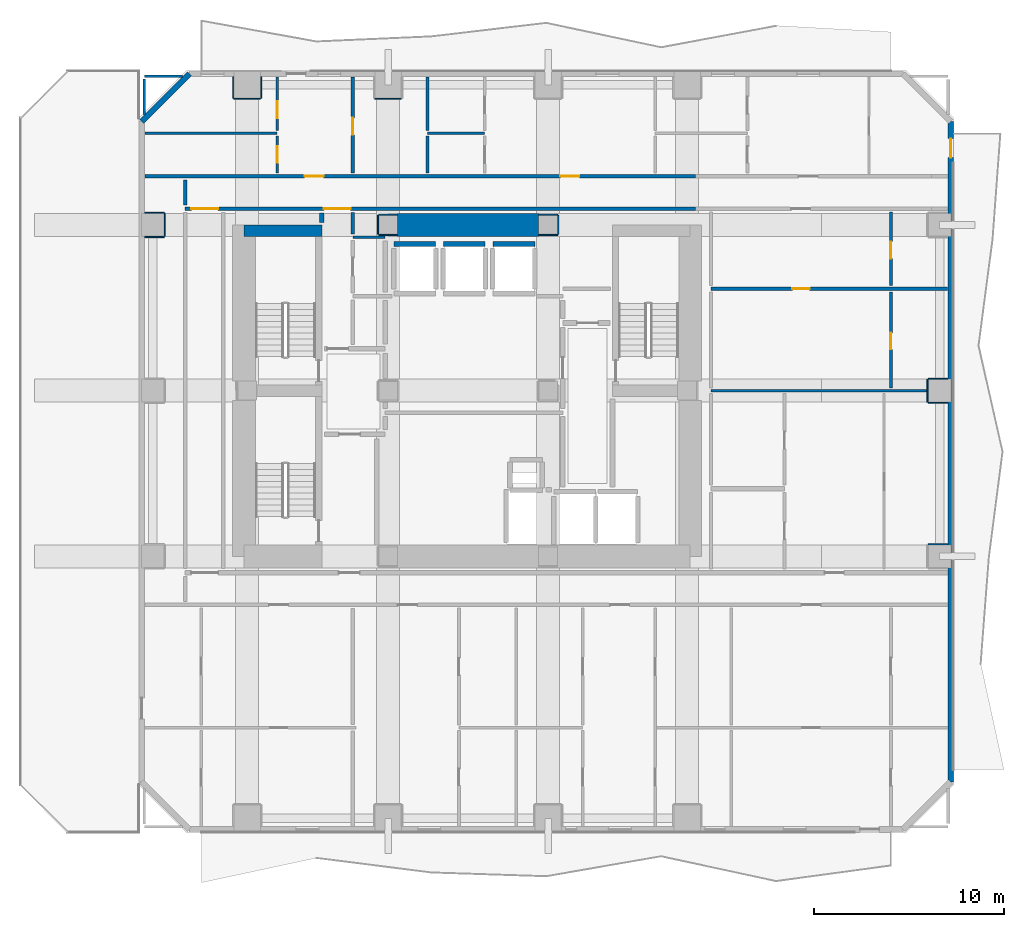
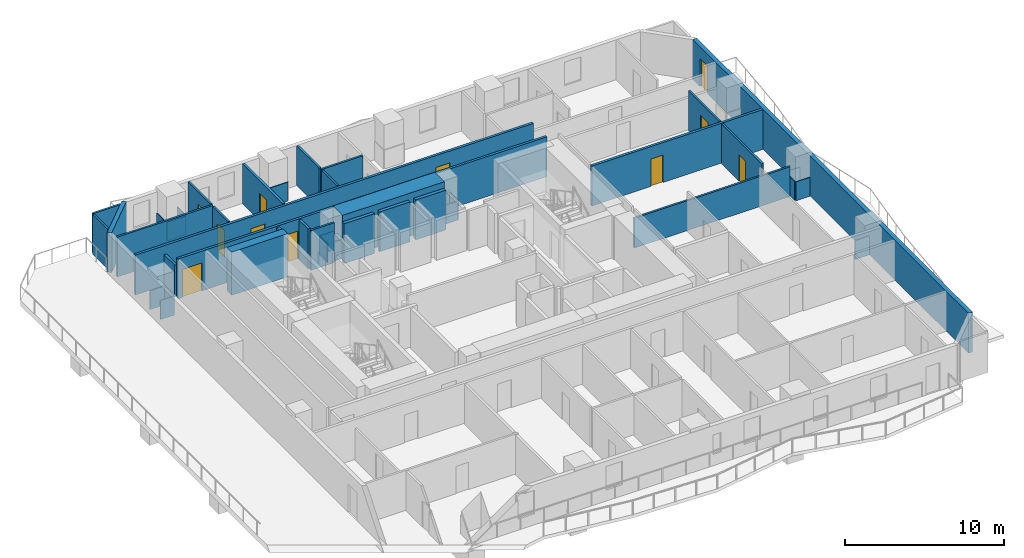
# One storey, part 5 of 10: 43 walls, 11 doors, 11 openings.
"""IFC4 building model written with IfcOpenShell, lengths in metres."""

import ifcopenshell
import ifcopenshell.guid

model = None  # the IFC model being written
_history = None  # IfcOwnerHistory: only IFC2X3 demands one
_inside = {}  # id of a spatial element -> (the spatial element, [elements in it])
_under = {}  # id of a project, library or spatial element -> (it, [spatial elements below it])
_declared = {}  # id of a project -> (the project, [libraries it declares])
_typed = {}  # id of a type object -> (the type object, [elements of that type])
_made_of = {}  # id of a material, layer set ... -> (it, [elements and type objects made of it])


def new_model(schema):
    """Start an empty IFC model of exactly this schema.

    Asked for "IFC4X3", IfcOpenShell would pick the latest addendum, in which some entities
    have other attributes; the version numbers below select the first issue.
    IFC2X3 requires an IfcOwnerHistory on every rooted entity: one is made here for all.
    """
    global model, _history
    if schema == "IFC4X3":
        model = ifcopenshell.file(schema_version=(4, 3, 0, 0))
    else:
        model = ifcopenshell.file(schema=schema)
    _inside.clear()
    _under.clear()
    _declared.clear()
    _typed.clear()
    _made_of.clear()
    _history = None
    if model.schema == "IFC2X3":
        org = make("IfcOrganization", Name="unknown")
        user = make(
            "IfcPersonAndOrganization",
            ThePerson=make("IfcPerson", FamilyName="unknown"),
            TheOrganization=org,
        )
        app = make(
            "IfcApplication",
            ApplicationDeveloper=org,
            Version="unknown",
            ApplicationFullName="unknown",
            ApplicationIdentifier="unknown",
        )
        _history = make(
            "IfcOwnerHistory",
            OwningUser=user,
            OwningApplication=app,
            ChangeAction="ADDED",
            CreationDate=0,
        )
    return model


def make(cls, **values):
    """One entity of the class cls with the attributes given. An attribute that is None is left unset."""
    return model.create_entity(
        cls, **{name: value for name, value in values.items() if value is not None}
    )


def rooted(cls, **values):
    """An entity with a GlobalId (a new one), such as an element, a storey or a relation."""
    return make(cls, GlobalId=ifcopenshell.guid.new(), OwnerHistory=_history, **values)


def si_unit(unit_type, name, prefix=None):
    """IfcSIUnit, for example si_unit("LENGTHUNIT", "METRE", prefix="MILLI")."""
    return make("IfcSIUnit", UnitType=unit_type, Prefix=prefix, Name=name)


def assignment(units):
    """IfcUnitAssignment: the units of a project."""
    return None if units is None else make("IfcUnitAssignment", Units=units)


def point(xyz):
    """IfcCartesianPoint."""
    return None if xyz is None else make("IfcCartesianPoint", Coordinates=xyz)


def direction(xyz):
    """IfcDirection."""
    return None if xyz is None else make("IfcDirection", DirectionRatios=xyz)


def frame(location, z_axis=None, x_axis=None):
    """IfcAxis2Placement3D, a coordinate frame: its origin and axes. An axis left out is left unset."""
    return make(
        "IfcAxis2Placement3D",
        Location=point(location),
        Axis=direction(z_axis),
        RefDirection=direction(x_axis),
    )


def frame_2d(location, x_axis=None):
    """IfcAxis2Placement2D, a coordinate frame in the plane: its origin and x axis."""
    return make(
        "IfcAxis2Placement2D", Location=point(location), RefDirection=direction(x_axis)
    )


def origin():
    """The frame at (0, 0, 0) with its axes left unset."""
    return frame((0.0, 0.0, 0.0))


def place(relative_to, where):
    """IfcLocalPlacement: puts the frame where relative to a parent placement (None: the world)."""
    return make(
        "IfcLocalPlacement", PlacementRelTo=relative_to, RelativePlacement=where
    )


def context(
    kind, dimensions, precision=None, world=None, true_north=None, identifier=None
):
    """IfcGeometricRepresentationContext, for example the 3D "Model" context."""
    return make(
        "IfcGeometricRepresentationContext",
        ContextIdentifier=identifier,
        ContextType=kind,
        CoordinateSpaceDimension=dimensions,
        Precision=precision,
        WorldCoordinateSystem=world,
        TrueNorth=true_north,
    )


def subcontext(parent, identifier, kind, view, scale=None):
    """IfcGeometricRepresentationSubContext, for example "Body" below "Model"."""
    return make(
        "IfcGeometricRepresentationSubContext",
        ContextIdentifier=identifier,
        ContextType=kind,
        ParentContext=parent,
        TargetScale=scale,
        TargetView=view,
    )


def project(units=None, contexts=None):
    """IfcProject with its units and contexts."""
    return rooted(
        "IfcProject",
        Name="project",
        RepresentationContexts=contexts,
        UnitsInContext=assignment(units),
    )


def spatial(cls, under=None, at=None, **own):
    """A site, building, storey or space (cls), placed at a placement, below another one or the project."""
    s = rooted(cls, ObjectPlacement=at, **own)
    if under is not None:
        _under.setdefault(under.id(), (under, []))[1].append(s)
    return s


def profile(cls, at=None, kind="AREA", **sizes):
    """A parametric profile (cls). Its sizes go by their IFC names, for example OverallWidth=200.0."""
    return make(cls, ProfileType=kind, Position=at, **sizes)


def rectangle(**sizes):
    """IfcRectangleProfileDef."""
    return profile("IfcRectangleProfileDef", **sizes)


def extrude(swept, where, along, depth):
    """IfcExtrudedAreaSolid: the profile swept, set in the frame where, extruded along a direction by depth."""
    return make(
        "IfcExtrudedAreaSolid",
        SweptArea=swept,
        Position=where,
        ExtrudedDirection=direction(along),
        Depth=depth,
    )


def shape(context_of_items, identifier, shape_type, items):
    """IfcShapeRepresentation: the items that make up one representation, for example the "Body"."""
    return make(
        "IfcShapeRepresentation",
        ContextOfItems=context_of_items,
        RepresentationIdentifier=identifier,
        RepresentationType=shape_type,
        Items=items,
    )


def material(Name=None, Category=None):
    """IfcMaterial."""
    return make("IfcMaterial", Name=Name, Category=Category)


def layer(
    of_material, thickness, ventilated=None, Name=None, Category=None, Priority=None
):
    """IfcMaterialLayer: one layer of a wall or slab, of a material (None: an air gap)."""
    return make(
        "IfcMaterialLayer",
        Material=of_material,
        LayerThickness=thickness,
        IsVentilated=ventilated,
        Name=Name,
        Category=Category,
        Priority=Priority,
    )


def layer_set(layers, Name=None):
    """IfcMaterialLayerSet."""
    return make("IfcMaterialLayerSet", MaterialLayers=layers, LayerSetName=Name)


def made_of(thing, what):
    """Note that an element or type object is made of a material, layer set ...; save() writes the relation."""
    if what is not None:
        _made_of.setdefault(what.id(), (what, []))[1].append(thing)
    return thing


def type_object(cls, material=None, **own):
    """A type object (cls), such as IfcWallType, which elements share."""
    return made_of(rooted(cls, **own), material)


def element(
    cls,
    number,
    at=None,
    inside=None,
    cuts=None,
    type_object=None,
    material=None,
    context=None,
    identifier="Body",
    shape_type=None,
    held_by="IfcProductDefinitionShape",
    body=None,
    shapes=None,
    **own,
):
    """One element of the class cls, such as IfcWall. Its Tag is "e" and its number.

    at: its placement. inside: the storey or other place that contains it. cuts: it is an
    opening in that element (IfcRelVoidsElement). A single representation is given by context,
    identifier, shape_type and body (its items); several are given by shapes. held_by: the class
    of the entity that holds the representations. save() writes the other relations.
    """
    e = rooted(cls, Tag="e%d" % number, ObjectPlacement=at, **own)
    if body is not None:
        shapes = [shape(context, identifier, shape_type, body)]
    if shapes is not None:
        e.Representation = make(held_by, Representations=shapes)
    if inside is not None:
        _inside.setdefault(inside.id(), (inside, []))[1].append(e)
    if cuts is not None:
        rooted(
            "IfcRelVoidsElement", RelatingBuildingElement=cuts, RelatedOpeningElement=e
        )
    if type_object is not None:
        _typed.setdefault(type_object.id(), (type_object, []))[1].append(e)
    return made_of(e, material)


def fill(opening, filler):
    """IfcRelFillsElement: the door or window that sits in an opening."""
    return rooted(
        "IfcRelFillsElement",
        RelatingOpeningElement=opening,
        RelatedBuildingElement=filler,
    )


def aggregate(whole, parts):
    """IfcRelAggregates: a whole, such as a stair, and the parts it consists of."""
    return rooted("IfcRelAggregates", RelatingObject=whole, RelatedObjects=parts)


def save(model, path):
    """Write the relations noted so far, then the file.

    IfcRelAggregates (storeys below a building ...), IfcRelContainedInSpatialStructure (elements
    in a storey), IfcRelDefinesByType, IfcRelAssociatesMaterial and IfcRelDeclares: one each for
    every whole, place, type object, material and project.
    """
    for whole, parts in _under.values():
        aggregate(whole, parts)
    for where, things in _inside.values():
        rooted(
            "IfcRelContainedInSpatialStructure",
            RelatedElements=things,
            RelatingStructure=where,
        )
    for kind, things in _typed.values():
        rooted("IfcRelDefinesByType", RelatedObjects=things, RelatingType=kind)
    for what, things in _made_of.values():
        rooted("IfcRelAssociatesMaterial", RelatedObjects=things, RelatingMaterial=what)
    for by, libraries in _declared.values():
        rooted("IfcRelDeclares", RelatingContext=by, RelatedDefinitions=libraries)
    model.write(path)


model = new_model("IFC4")

# Units and contexts
model_context = context("Model", 3, precision=1e-05, world=origin(), true_north=direction((0.0, 1.0)))
body_context = subcontext(model_context, "Body", "Model", "MODEL_VIEW")
ifc_project = project(units=[si_unit("LENGTHUNIT", "METRE"), si_unit("AREAUNIT", "SQUARE_METRE"), si_unit("VOLUMEUNIT", "CUBIC_METRE"), si_unit("PLANEANGLEUNIT", "RADIAN"), si_unit("MASSUNIT", "GRAM", prefix="KILO")], contexts=[model_context])

# Site, building, storey
site_placement = place(None, origin())
site = spatial("IfcSite", under=ifc_project, at=site_placement, CompositionType="ELEMENT")
building_placement = place(site_placement, origin())
building = spatial("IfcBuilding", under=site, at=building_placement, Name="Solanera Arch Residences", CompositionType="ELEMENT")
storey_placement = place(building_placement, frame((0.0, 0.0, 41.919921875)))
storey = spatial("IfcBuildingStorey", under=building, at=storey_placement, Name="L11", CompositionType="ELEMENT", Elevation=41.919921875)

# Walls
ifc_material_1 = material(Name="Fire-Rated Gypsum Stud Partition", Category="gypsum")
ifc_layer_1 = layer(ifc_material_1, 0.06005859375)
ifc_layer_set_1 = layer_set([ifc_layer_1], Name="Fire-Rated Gypsum Stud Partition")
wall_type_1 = type_object("IfcWallType", Name="Column Acoustic Furring Wall 60", PredefinedType="PARTITIONING", material=ifc_layer_set_1)
for number, where, z_axis, x_axis, name in (
    (1, (20.300048828125, 38.867919921875, 0.0), (0.0, 0.0, 1.0), (1.0, 0.0, 0.0), "L11 Column Furring 3S"),
    (2, (20.300048828125, 39.931884765625, 0.0), (0.0, 0.0, 1.0), (1.0, 0.0, 0.0), "L11 Column Furring 3N"),
):
    element("IfcWall", number, at=place(storey_placement, frame(where, z_axis=z_axis, x_axis=x_axis)), inside=storey, type_object=wall_type_1, Name=name, PredefinedType="PARTITIONING", context=body_context, shape_type="SweptSolid", body=[
        extrude(rectangle(XDim=0.989990234375, YDim=0.06005859375, at=frame_2d((0.4951171875, 0.0))), origin(), (0.0, 0.0, 1.0), 1.4501953125),
    ])
wall_1_placement = place(storey_placement, frame((20.26806640625, 38.89990234375, 0.0), z_axis=(0.0, 0.0, 1.0), x_axis=(0.0, 1.0, 0.0)))
element("IfcWall", 3, at=wall_1_placement, inside=storey, type_object=wall_type_1, Name="L11 Column Furring 3W", PredefinedType="PARTITIONING", context=body_context, shape_type="SweptSolid", body=[
    extrude(rectangle(XDim=1.0, YDim=0.06005859375, at=frame_2d((0.5, 0.0))), origin(), (0.0, 0.0, 1.0), 1.4501953125),
])
for number, where, z_axis, x_axis, name in (
    (4, (28.7099609375, 38.867919921875, 0.0), (0.0, 0.0, 1.0), (1.0, 0.0, 0.0), "L11 Column Furring 4S"),
    (5, (28.7099609375, 39.931884765625, 0.0), (0.0, 0.0, 1.0), (1.0, 0.0, 0.0), "L11 Column Furring 4N"),
):
    element("IfcWall", number, at=place(storey_placement, frame(where, z_axis=z_axis, x_axis=x_axis)), inside=storey, type_object=wall_type_1, Name=name, PredefinedType="PARTITIONING", context=body_context, shape_type="SweptSolid", body=[
        extrude(rectangle(XDim=0.989990234375, YDim=0.06005859375, at=frame_2d((0.4951171875, 0.0))), origin(), (0.0, 0.0, 1.0), 1.4501953125),
    ])
wall_2_placement = place(storey_placement, frame((29.73193359375, 38.89990234375, 0.0), z_axis=(0.0, 0.0, 1.0), x_axis=(0.0, 1.0, 0.0)))
element("IfcWall", 6, at=wall_2_placement, inside=storey, type_object=wall_type_1, Name="L11 Column Furring 4E", PredefinedType="PARTITIONING", context=body_context, shape_type="SweptSolid", body=[
    extrude(rectangle(XDim=1.0, YDim=0.06005859375, at=frame_2d((0.5, 0.0))), origin(), (0.0, 0.0, 1.0), 1.4501953125),
])
wall_3_placement = place(storey_placement, frame((12.699951171875, 46.01806640625, 0.0), z_axis=(0.0, 0.0, 1.0), x_axis=(1.0, 0.0, 0.0)))
element("IfcWall", 7, at=wall_3_placement, inside=storey, type_object=wall_type_1, Name="L11 Column Furring 10S", PredefinedType="PARTITIONING", context=body_context, shape_type="SweptSolid", body=[
    extrude(rectangle(XDim=1.400146484375, YDim=0.06005859375, at=frame_2d((0.7001953125, 0.0))), origin(), (0.0, 0.0, 1.0), 1.4501953125),
])
for number, where, z_axis, x_axis, name in (
    (8, (12.66796875, 46.050048828125, 0.0), (0.0, 0.0, 1.0), (0.0, 1.0, 0.0), "L11 Column Furring 10W"),
    (9, (14.132080078125, 46.050048828125, 0.0), (0.0, 0.0, 1.0), (0.0, 1.0, 0.0), "L11 Column Furring 10E"),
):
    element("IfcWall", number, at=place(storey_placement, frame(where, z_axis=z_axis, x_axis=x_axis)), inside=storey, type_object=wall_type_1, Name=name, PredefinedType="PARTITIONING", context=body_context, shape_type="SweptSolid", body=[
        extrude(rectangle(XDim=1.119873046875, YDim=0.06005859375, at=frame_2d((0.56005859375, 0.0))), origin(), (0.0, 0.0, 1.0), 1.4501953125),
    ])
wall_4_placement = place(storey_placement, frame((20.10009765625, 46.01806640625, 0.0), z_axis=(0.0, 0.0, 1.0), x_axis=(1.0, 0.0, 0.0)))
element("IfcWall", 10, at=wall_4_placement, inside=storey, type_object=wall_type_1, Name="L11 Column Furring 12S", PredefinedType="PARTITIONING", context=body_context, shape_type="SweptSolid", body=[
    extrude(rectangle(XDim=1.39990234375, YDim=0.06005859375, at=frame_2d((0.699951171875, 0.0))), origin(), (0.0, 0.0, 1.0), 1.4501953125),
])
for number, where, z_axis, x_axis, name in (
    (11, (49.14990234375, 22.632080078125, 0.0), (0.0, 0.0, 1.0), (1.0, 0.0, 0.0), "L11 Column Furring 18N"),
    (12, (49.14990234375, 30.068115234375, 0.0), (0.0, 0.0, 1.0), (1.0, 0.0, 0.0), "L11 Column Furring 20S"),
    (13, (49.14990234375, 31.33203125, 0.0), (0.0, 0.0, 1.0), (1.0, 0.0, 0.0), "L11 Column Furring 20N"),
):
    element("IfcWall", number, at=place(storey_placement, frame(where, z_axis=z_axis, x_axis=x_axis)), inside=storey, type_object=wall_type_1, Name=name, PredefinedType="PARTITIONING", context=body_context, shape_type="SweptSolid", body=[
        extrude(rectangle(XDim=1.02001953125, YDim=0.06005859375, at=frame_2d((0.510009765625, 0.0))), origin(), (0.0, 0.0, 1.0), 1.4501953125),
    ])
wall_5_placement = place(storey_placement, frame((49.117919921875, 30.10009765625, 0.0), z_axis=(0.0, 0.0, 1.0), x_axis=(0.0, 1.0, 0.0)))
element("IfcWall", 14, at=wall_5_placement, inside=storey, type_object=wall_type_1, Name="L11 Column Furring 20W", PredefinedType="PARTITIONING", context=body_context, shape_type="SweptSolid", body=[
    extrude(rectangle(XDim=1.199951171875, YDim=0.06005859375, at=frame_2d((0.60009765625, 0.0))), origin(), (0.0, 0.0, 1.0), 1.4501953125),
])
for number, where, z_axis, x_axis, name in (
    (15, (8.030029296875, 38.76806640625, 0.0), (0.0, 0.0, 1.0), (1.0, 0.0, 0.0), "L11 Column Furring 21S"),
    (16, (8.030029296875, 40.031982421875, 0.0), (0.0, 0.0, 1.0), (1.0, 0.0, 0.0), "L11 Column Furring 21N"),
):
    element("IfcWall", number, at=place(storey_placement, frame(where, z_axis=z_axis, x_axis=x_axis)), inside=storey, type_object=wall_type_1, Name=name, PredefinedType="PARTITIONING", context=body_context, shape_type="SweptSolid", body=[
        extrude(rectangle(XDim=1.02001953125, YDim=0.06005859375, at=frame_2d((0.510009765625, 0.0))), origin(), (0.0, 0.0, 1.0), 1.4501953125),
    ])
wall_6_placement = place(storey_placement, frame((9.08203125, 38.800048828125, 0.0), z_axis=(0.0, 0.0, 1.0), x_axis=(0.0, 1.0, 0.0)))
element("IfcWall", 17, at=wall_6_placement, inside=storey, type_object=wall_type_1, Name="L11 Column Furring 21E", PredefinedType="PARTITIONING", context=body_context, shape_type="SweptSolid", body=[
    extrude(rectangle(XDim=1.199951171875, YDim=0.06005859375, at=frame_2d((0.60009765625, 0.0))), origin(), (0.0, 0.0, 1.0), 1.4501953125),
])
ifc_material_2 = material(Name="Concrete C55/67 (f'c = 60 MPa)", Category="concrete")
ifc_layer_2 = layer(ifc_material_2, 1.199951171875)
ifc_layer_set_2 = layer_set([ifc_layer_2], Name="Concrete C55/67 (f'c = 60 MPa)")
wall_type_2 = type_object("IfcWallType", Name="Core Shear Wall CW-1200", PredefinedType="SHEAR", material=ifc_layer_set_2)
wall_7_placement = place(storey_placement, frame((21.304931640625, 39.39990234375, 0.0), z_axis=(0.0, 0.0, 1.0), x_axis=(1.0, 0.0, 0.0)))
element("IfcWall", 18, at=wall_7_placement, inside=storey, type_object=wall_type_2, Name="L11 Central North Core Shear Wall", PredefinedType="SHEAR", context=body_context, shape_type="SweptSolid", body=[
    extrude(rectangle(XDim=7.39013671875, YDim=1.199951171875, at=frame_2d((3.695068359375, 0.0))), origin(), (0.0, 0.0, 1.0), 3.320068359375),
])
ifc_material_3 = material(Name="Concrete C40/50 (f'c = 45 MPa)", Category="concrete")
ifc_layer_3 = layer(ifc_material_3, 0.60009765625)
ifc_layer_set_3 = layer_set([ifc_layer_3], Name="Concrete C40/50 (f'c = 45 MPa)")
wall_type_3 = type_object("IfcWallType", Name="Core Shear Wall CW-600", PredefinedType="SHEAR", material=ifc_layer_set_3)
wall_8_placement = place(storey_placement, frame((13.239990234375, 39.10009765625, 0.0), z_axis=(0.0, 0.0, 1.0), x_axis=(1.0, 0.0, 0.0)))
element("IfcWall", 19, at=wall_8_placement, inside=storey, type_object=wall_type_3, Name="L11 North-West Core Shear Wall", PredefinedType="SHEAR", context=body_context, shape_type="SweptSolid", body=[
    extrude(rectangle(XDim=4.080078125, YDim=0.60009765625, at=frame_2d((2.0400390625, 0.0))), origin(), (0.0, 0.0, 1.0), 3.320068359375),
])

# Wall, opening, door
ifc_material_4 = material(Name="Autoclaved Aerated Concrete Blockwork", Category="masonry")
ifc_layer_4 = layer(ifc_material_4, 0.179931640625)
ifc_layer_set_4 = layer_set([ifc_layer_4], Name="Autoclaved Aerated Concrete Blockwork")
wall_type_4 = type_object("IfcWallType", Name="Corridor Fire Partition 180", PredefinedType="PARTITIONING", material=ifc_layer_set_4)
wall_9_placement = place(storey_placement, frame((37.75, 36.050048828125, 0.0), z_axis=(0.0, 0.0, 1.0), x_axis=(1.0, 0.0, 0.0)))
wall_9 = element("IfcWall", 20, at=wall_9_placement, inside=storey, type_object=wall_type_4, Name="L11 Interior Partition H11", PredefinedType="PARTITIONING", context=body_context, shape_type="SweptSolid", body=[
    extrude(rectangle(XDim=12.423095703125, YDim=0.179931640625, at=frame_2d((6.21142578125, 0.0))), origin(), (0.0, 0.0, 1.0), 3.06005859375),
])
opening_1_placement = place(wall_9_placement, frame((4.27490234375, 0.0, 0.0)))
opening_1 = element("IfcOpeningElement", 21, at=opening_1_placement, cuts=wall_9, Name="Opening DI-02", PredefinedType="OPENING", context=body_context, shape_type="SweptSolid", body=[
    extrude(rectangle(XDim=0.89990234375, YDim=2.10009765625, at=frame_2d((0.449951171875, 1.050048828125))), frame((0.0, 0.10009765625, 0.0), z_axis=(0.0, -1.0, 0.0), x_axis=(1.0, 0.0, 0.0)), (0.0, 0.0, 1.0), 0.1999),
])
ifc_material_5 = material(Name="Fire-Rated Architectural Hardwood", Category="wood")
door_type_1 = type_object("IfcDoorType", Name="Suite Room Swing Door DI-02", OperationType="NOTDEFINED", PredefinedType="DOOR", material=ifc_material_5)
door_1_placement = place(opening_1_placement, origin())
door_1 = element("IfcDoor", 22, at=door_1_placement, inside=storey, type_object=door_type_1, Name="DR-L11-IN-045", OperationType="SINGLE_SWING_LEFT", OverallHeight=2.10009765625, OverallWidth=0.89990234375, PredefinedType="DOOR", context=body_context, shape_type="SweptSolid", body=[
    extrude(rectangle(XDim=0.89990234375, YDim=2.10009765625, at=frame_2d((0.449951171875, 1.050048828125))), frame((0.0, 0.02490234375, 0.0), z_axis=(0.0, -1.0, 0.0), x_axis=(1.0, 0.0, 0.0)), (0.0, 0.0, 1.0), 0.050048828125),
])
fill(opening_1, door_1)

# Wall, openings, doors
wall_10_placement = place(storey_placement, frame((10.14990234375, 40.25, 0.0), z_axis=(0.0, 0.0, 1.0), x_axis=(1.0, 0.0, 0.0)))
wall_10 = element("IfcWall", 23, at=wall_10_placement, inside=storey, type_object=wall_type_4, Name="L11 Interior Partition H12 1", PredefinedType="PARTITIONING", context=body_context, shape_type="SweptSolid", body=[
    extrude(rectangle(XDim=26.781982421875, YDim=0.179931640625, at=frame_2d((13.39111328125, 0.0))), origin(), (0.0, 0.0, 1.0), 3.06005859375),
])
opening_2_placement = place(wall_10_placement, frame((7.284912109375, 0.0, 0.0)))
opening_2 = element("IfcOpeningElement", 24, at=opening_2_placement, cuts=wall_10, Name="Opening DF-03", PredefinedType="OPENING", context=body_context, shape_type="SweptSolid", body=[
    extrude(rectangle(XDim=1.39990234375, YDim=2.14990234375, at=frame_2d((0.699951171875, 1.074951171875))), frame((0.0, 0.10009765625, 0.0), z_axis=(0.0, -1.0, 0.0), x_axis=(1.0, 0.0, 0.0)), (0.0, 0.0, 1.0), 0.1999),
])
opening_3_placement = place(wall_10_placement, frame((0.323974609375, 0.0, 0.0)))
opening_3 = element("IfcOpeningElement", 25, at=opening_3_placement, cuts=wall_10, Name="Opening DF-03", PredefinedType="OPENING", context=body_context, shape_type="SweptSolid", body=[
    extrude(rectangle(XDim=1.39990234375, YDim=2.14990234375, at=frame_2d((0.699951171875, 1.074951171875))), frame((0.0, 0.10009765625, 0.0), z_axis=(0.0, -1.0, 0.0), x_axis=(1.0, 0.0, 0.0)), (0.0, 0.0, 1.0), 0.1999),
])
ifc_material_6 = material(Name="Fire-Rated Architectural Hardwood", Category="wood")
door_type_2 = type_object("IfcDoorType", Name="Corridor Smoke Door DF-03", OperationType="NOTDEFINED", PredefinedType="DOOR", material=ifc_material_6)
door_2_placement = place(opening_2_placement, origin())
door_2 = element("IfcDoor", 26, at=door_2_placement, inside=storey, type_object=door_type_2, Name="DR-L11-IN-009", OperationType="SINGLE_SWING_LEFT", OverallHeight=2.14990234375, OverallWidth=1.39990234375, PredefinedType="DOOR", context=body_context, shape_type="SweptSolid", body=[
    extrude(rectangle(XDim=1.39990234375, YDim=2.14990234375, at=frame_2d((0.699951171875, 1.074951171875))), frame((0.0, 0.02490234375, 0.0), z_axis=(0.0, -1.0, 0.0), x_axis=(1.0, 0.0, 0.0)), (0.0, 0.0, 1.0), 0.050048828125),
])
fill(opening_2, door_2)
door_3_placement = place(opening_3_placement, origin())
door_3 = element("IfcDoor", 27, at=door_3_placement, inside=storey, type_object=door_type_2, Name="DR-L11-IN-011", OperationType="SINGLE_SWING_LEFT", OverallHeight=2.14990234375, OverallWidth=1.39990234375, PredefinedType="DOOR", context=body_context, shape_type="SweptSolid", body=[
    extrude(rectangle(XDim=1.39990234375, YDim=2.14990234375, at=frame_2d((0.699951171875, 1.074951171875))), frame((0.0, 0.02490234375, 0.0), z_axis=(0.0, -1.0, 0.0), x_axis=(1.0, 0.0, 0.0)), (0.0, 0.0, 1.0), 0.050048828125),
])
fill(opening_3, door_3)

wall_11_placement = place(storey_placement, frame((8.027099609375, 41.949951171875, 0.0), z_axis=(0.0, 0.0, 1.0), x_axis=(1.0, 0.0, 0.0)))
wall_11 = element("IfcWall", 28, at=wall_11_placement, inside=storey, type_object=wall_type_4, Name="L11 Interior Partition H13 1", PredefinedType="PARTITIONING", context=body_context, shape_type="SweptSolid", body=[
    extrude(rectangle(XDim=28.90478515625, YDim=0.179931640625, at=frame_2d((14.452392578125, 0.0))), origin(), (0.0, 0.0, 1.0), 3.06005859375),
])
opening_4_placement = place(wall_11_placement, frame((8.39111328125, 0.0, 0.0)))
opening_4 = element("IfcOpeningElement", 29, at=opening_4_placement, cuts=wall_11, Name="Opening DI-01", PredefinedType="OPENING", context=body_context, shape_type="SweptSolid", body=[
    extrude(rectangle(XDim=1.0, YDim=2.14990234375, at=frame_2d((0.5, 1.074951171875))), frame((0.0, 0.10009765625, 0.0), z_axis=(0.0, -1.0, 0.0), x_axis=(1.0, 0.0, 0.0)), (0.0, 0.0, 1.0), 0.1999),
])
opening_5_placement = place(wall_11_placement, frame((21.820068359375, 0.0, 0.0)))
opening_5 = element("IfcOpeningElement", 30, at=opening_5_placement, cuts=wall_11, Name="Opening DI-01", PredefinedType="OPENING", context=body_context, shape_type="SweptSolid", body=[
    extrude(rectangle(XDim=1.0, YDim=2.14990234375, at=frame_2d((0.5, 1.074951171875))), frame((0.0, 0.10009765625, 0.0), z_axis=(0.0, -1.0, 0.0), x_axis=(1.0, 0.0, 0.0)), (0.0, 0.0, 1.0), 0.1999),
])
ifc_material_7 = material(Name="Fire-Rated Architectural Hardwood", Category="wood")
door_type_3 = type_object("IfcDoorType", Name="Unit Entrance Fire Door DI-01", OperationType="NOTDEFINED", PredefinedType="DOOR", material=ifc_material_7)
door_4_placement = place(opening_4_placement, origin())
door_4 = element("IfcDoor", 31, at=door_4_placement, inside=storey, type_object=door_type_3, Name="DR-L11-IN-029", OperationType="SINGLE_SWING_LEFT", OverallHeight=2.14990234375, OverallWidth=1.0, PredefinedType="DOOR", context=body_context, shape_type="SweptSolid", body=[
    extrude(rectangle(XDim=1.0, YDim=2.14990234375, at=frame_2d((0.5, 1.074951171875))), frame((0.0, 0.02490234375, 0.0), z_axis=(0.0, -1.0, 0.0), x_axis=(1.0, 0.0, 0.0)), (0.0, 0.0, 1.0), 0.050048828125),
])
fill(opening_4, door_4)
door_5_placement = place(opening_5_placement, origin())
door_5 = element("IfcDoor", 32, at=door_5_placement, inside=storey, type_object=door_type_3, Name="DR-L11-IN-033", OperationType="SINGLE_SWING_LEFT", OverallHeight=2.14990234375, OverallWidth=1.0, PredefinedType="DOOR", context=body_context, shape_type="SweptSolid", body=[
    extrude(rectangle(XDim=1.0, YDim=2.14990234375, at=frame_2d((0.5, 1.074951171875))), frame((0.0, 0.02490234375, 0.0), z_axis=(0.0, -1.0, 0.0), x_axis=(1.0, 0.0, 0.0)), (0.0, 0.0, 1.0), 0.050048828125),
])
fill(opening_5, door_5)

# Walls
wall_12_placement = place(storey_placement, frame((10.14990234375, 40.43798828125, 0.0), z_axis=(0.0, 0.0, 1.0), x_axis=(0.0, 1.0, 0.0)))
element("IfcWall", 33, at=wall_12_placement, inside=storey, type_object=wall_type_4, Name="L11 Interior Partition V6 3", PredefinedType="PARTITIONING", context=body_context, shape_type="SweptSolid", body=[
    extrude(rectangle(XDim=1.323974609375, YDim=0.179931640625, at=frame_2d((0.662109375, 0.0))), origin(), (0.0, 0.0, 1.0), 2.445068359375),
])
wall_13_placement = place(storey_placement, frame((18.949951171875, 38.91796875, 0.0), z_axis=(0.0, 0.0, 1.0), x_axis=(0.0, 1.0, 0.0)))
element("IfcWall", 34, at=wall_13_placement, inside=storey, type_object=wall_type_4, Name="L11 Interior Partition V9 3", PredefinedType="PARTITIONING", context=body_context, shape_type="SweptSolid", body=[
    extrude(rectangle(XDim=1.14404296875, YDim=0.179931640625, at=frame_2d((0.572021484375, 0.0))), origin(), (0.0, 0.0, 1.0), 3.06005859375),
])

# Wall, opening, door
wall_14_placement = place(storey_placement, frame((18.949951171875, 42.137939453125, 0.0), z_axis=(0.0, 0.0, 1.0), x_axis=(0.0, 1.0, 0.0)))
wall_14 = element("IfcWall", 35, at=wall_14_placement, inside=storey, type_object=wall_type_4, Name="L11 Interior Partition V10", PredefinedType="PARTITIONING", context=body_context, shape_type="SweptSolid", body=[
    extrude(rectangle(XDim=5.03515625, YDim=0.179931640625, at=frame_2d((2.517578125, 0.0))), origin(), (0.0, 0.0, 1.0), 3.06005859375),
])
opening_6_placement = place(wall_14_placement, frame((1.987060546875, 0.0, 0.0)))
opening_6 = element("IfcOpeningElement", 36, at=opening_6_placement, cuts=wall_14, Name="Opening DI-02", PredefinedType="OPENING", context=body_context, shape_type="SweptSolid", body=[
    extrude(rectangle(XDim=0.89990234375, YDim=2.10009765625, at=frame_2d((0.449951171875, 1.050048828125))), frame((0.0, 0.10009765625, 0.0), z_axis=(0.0, -1.0, 0.0), x_axis=(1.0, 0.0, 0.0)), (0.0, 0.0, 1.0), 0.1999),
])
door_6_placement = place(opening_6_placement, origin())
door_6 = element("IfcDoor", 37, at=door_6_placement, inside=storey, type_object=door_type_1, Name="DR-L11-IN-032", OperationType="SINGLE_SWING_RIGHT", OverallHeight=2.10009765625, OverallWidth=0.89990234375, PredefinedType="DOOR", context=body_context, shape_type="SweptSolid", body=[
    extrude(rectangle(XDim=0.89990234375, YDim=2.10009765625, at=frame_2d((0.449951171875, 1.050048828125))), frame((0.0, 0.02490234375, 0.0), z_axis=(0.0, -1.0, 0.0), x_axis=(1.0, 0.0, 0.0)), (0.0, 0.0, 1.0), 0.050048828125),
])
fill(opening_6, door_6)

# Wall
ifc_material_8 = material(Name="Precast Concrete C35/45", Category="concrete")
ifc_layer_5 = layer(ifc_material_8, 0.300048828125)
ifc_layer_set_5 = layer_set([ifc_layer_5], Name="Precast Concrete C35/45")
wall_type_5 = type_object("IfcWallType", Name="Exterior Wall Precast Masonry-Frame 300", PredefinedType="STANDARD", material=ifc_layer_set_5)
wall_15_placement = place(storey_placement, frame((7.864990234375, 44.8349609375, 0.0), z_axis=(0.0, 0.0, 1.0), x_axis=(0.707106781187, 0.707106781187, 0.0)))
element("IfcWall", 38, at=wall_15_placement, inside=storey, type_object=wall_type_5, Name="L11 Tower Exterior Precast Masonry-Frame Wall CH1", PredefinedType="STANDARD", context=body_context, shape_type="SweptSolid", body=[
    extrude(rectangle(XDim=3.53564453125, YDim=0.300048828125, at=frame_2d((1.767822265625, 0.0))), origin(), (0.0, 0.0, 1.0), 3.06005859375),
])

# Wall, opening, door
wall_16_placement = place(storey_placement, frame((50.3349609375, 44.8349609375, 0.0), z_axis=(0.0, 0.0, 1.0), x_axis=(0.0, -1.0, 0.0)))
wall_16 = element("IfcWall", 39, at=wall_16_placement, inside=storey, type_object=wall_type_5, Name="L11 Tower Exterior Precast Masonry-Frame Wall E", PredefinedType="STANDARD", context=body_context, shape_type="SweptSolid", body=[
    extrude(rectangle(XDim=34.669921875, YDim=0.300048828125, at=frame_2d((17.3349609375, 0.0))), origin(), (0.0, 0.0, 1.0), 3.06005859375),
])
opening_7_placement = place(wall_16_placement, frame((0.90087890625, 0.0, 0.0)))
opening_7 = element("IfcOpeningElement", 40, at=opening_7_placement, cuts=wall_16, Name="Opening DB-01", PredefinedType="OPENING", context=body_context, shape_type="SweptSolid", body=[
    extrude(rectangle(XDim=1.0, YDim=2.14990234375, at=frame_2d((0.5, 1.074951171875))), frame((0.0, 0.159912109375, 0.0), z_axis=(0.0, -1.0, 0.0), x_axis=(1.0, 0.0, 0.0)), (0.0, 0.0, 1.0), 0.32),
])
ifc_material_9 = material(Name="Anodised Aluminium Alloy 6063-T6", Category="aluminium")
door_type_4 = type_object("IfcDoorType", Name="Glazed Balcony Swing Door DB-01", OperationType="NOTDEFINED", PredefinedType="DOOR", material=ifc_material_9)
door_7_placement = place(opening_7_placement, origin())
door_7 = element("IfcDoor", 41, at=door_7_placement, inside=storey, type_object=door_type_4, Name="DR-L11-OUT-04", OperationType="SINGLE_SWING_RIGHT", OverallHeight=2.14990234375, OverallWidth=1.0, PredefinedType="DOOR", context=body_context, shape_type="SweptSolid", body=[
    extrude(rectangle(XDim=1.0, YDim=2.14990234375, at=frame_2d((0.5, 1.074951171875))), frame((0.0, 0.02490234375, 0.0), z_axis=(0.0, -1.0, 0.0), x_axis=(1.0, 0.0, 0.0)), (0.0, 0.0, 1.0), 0.050048828125),
])
fill(opening_7, door_7)

# Walls
ifc_material_10 = material(Name="Autoclaved Aerated Concrete Blockwork", Category="masonry")
ifc_layer_6 = layer(ifc_material_10, 0.239990234375)
ifc_layer_set_6 = layer_set([ifc_layer_6], Name="Autoclaved Aerated Concrete Blockwork")
wall_type_6 = type_object("IfcWallType", Name="Shaft Wall Fire-Rated 240", PredefinedType="PARTITIONING", material=ifc_layer_set_6)
for number, where, z_axis, x_axis, name in (
    (42, (21.10009765625, 38.39990234375, 0.0), (0.0, 0.0, 1.0), (1.0, 0.0, 0.0), "L11 Lift PL-L1 Hoistway Wall N"),
    (43, (23.699951171875, 38.39990234375, 0.0), (0.0, 0.0, 1.0), (1.0, 0.0, 0.0), "L11 Lift PL-L2 Hoistway Wall N"),
    (44, (26.300048828125, 38.39990234375, 0.0), (0.0, 0.0, 1.0), (1.0, 0.0, 0.0), "L11 Lift PL-L3 Hoistway Wall N"),
):
    element("IfcWall", number, at=place(storey_placement, frame(where, z_axis=z_axis, x_axis=x_axis)), inside=storey, type_object=wall_type_6, Name=name, PredefinedType="PARTITIONING", context=body_context, shape_type="SweptSolid", body=[
        extrude(rectangle(XDim=2.199951171875, YDim=0.239990234375, at=frame_2d((1.10009765625, 0.0))), origin(), (0.0, 0.0, 1.0), 3.06005859375),
    ])
wall_17_placement = place(storey_placement, frame((17.320068359375, 39.530029296875, 0.0), z_axis=(0.0, 0.0, 1.0), x_axis=(0.0, 1.0, 0.0)))
element("IfcWall", 45, at=wall_17_placement, inside=storey, type_object=wall_type_6, Name="L11 Interior Partition V1", PredefinedType="PARTITIONING", context=body_context, shape_type="SweptSolid", body=[
    extrude(rectangle(XDim=0.501953125, YDim=0.239990234375, at=frame_2d((0.2509765625, 0.0))), origin(), (0.0, 0.0, 1.0), 3.06005859375),
])
ifc_material_11 = material(Name="Autoclaved Aerated Concrete Blockwork", Category="masonry")
ifc_layer_7 = layer(ifc_material_11, 0.139892578125)
ifc_layer_set_7 = layer_set([ifc_layer_7], Name="Autoclaved Aerated Concrete Blockwork")
wall_type_7 = type_object("IfcWallType", Name="Wet-Room Partition 140", PredefinedType="PARTITIONING", material=ifc_layer_set_7)
wall_18_placement = place(storey_placement, frame((37.75, 30.699951171875, 0.0), z_axis=(0.0, 0.0, 1.0), x_axis=(1.0, 0.0, 0.0)))
element("IfcWall", 46, at=wall_18_placement, inside=storey, type_object=wall_type_7, Name="L11 Interior Partition H18", PredefinedType="PARTITIONING", context=body_context, shape_type="SweptSolid", body=[
    extrude(rectangle(XDim=11.318115234375, YDim=0.139892578125, at=frame_2d((5.6591796875, 0.0))), origin(), (0.0, 0.0, 1.0), 2.295166015625),
])
wall_19_placement = place(storey_placement, frame((18.949951171875, 38.75, 0.0), z_axis=(0.0, 0.0, 1.0), x_axis=(1.0, 0.0, 0.0)))
element("IfcWall", 47, at=wall_19_placement, inside=storey, type_object=wall_type_7, Name="L11 Interior Partition H19", PredefinedType="PARTITIONING", context=body_context, shape_type="SweptSolid", body=[
    extrude(rectangle(XDim=1.699951171875, YDim=0.139892578125, at=frame_2d((0.85009765625, 0.0))), origin(), (0.0, 0.0, 1.0), 3.06005859375),
])
wall_20_placement = place(storey_placement, frame((8.027099609375, 44.2080078125, 0.0), z_axis=(0.0, 0.0, 1.0), x_axis=(1.0, 0.0, 0.0)))
element("IfcWall", 48, at=wall_20_placement, inside=storey, type_object=wall_type_7, Name="L11 Interior Partition H20", PredefinedType="PARTITIONING", context=body_context, shape_type="SweptSolid", body=[
    extrude(rectangle(XDim=6.952880859375, YDim=0.139892578125, at=frame_2d((3.4765625, 0.0))), origin(), (0.0, 0.0, 1.0), 3.06005859375),
])
wall_21_placement = place(storey_placement, frame((22.873046875, 44.2080078125, 0.0), z_axis=(0.0, 0.0, 1.0), x_axis=(1.0, 0.0, 0.0)))
element("IfcWall", 49, at=wall_21_placement, inside=storey, type_object=wall_type_7, Name="L11 Interior Partition H21", PredefinedType="PARTITIONING", context=body_context, shape_type="SweptSolid", body=[
    extrude(rectangle(XDim=3.0, YDim=0.139892578125, at=frame_2d((1.5, 0.0))), origin(), (0.0, 0.0, 1.0), 3.06005859375),
])
wall_22_placement = place(storey_placement, frame((8.0, 47.199951171875, 0.0), z_axis=(0.0, 0.0, 1.0), x_axis=(1.0, 0.0, 0.0)))
element("IfcWall", 50, at=wall_22_placement, inside=storey, type_object=wall_type_7, Name="L11 Interior Partition H23 1", PredefinedType="PARTITIONING", context=body_context, shape_type="SweptSolid", body=[
    extrude(rectangle(XDim=2.0009765625, YDim=0.139892578125, at=frame_2d((1.00048828125, 0.0))), origin(), (0.0, 0.0, 1.0), 3.06005859375),
])
wall_23_placement = place(storey_placement, frame((8.0, 45.198974609375, 0.0), z_axis=(0.0, 0.0, 1.0), x_axis=(0.0, 1.0, 0.0)))
element("IfcWall", 51, at=wall_23_placement, inside=storey, type_object=wall_type_7, Name="L11 Interior Partition V13", PredefinedType="PARTITIONING", context=body_context, shape_type="SweptSolid", body=[
    extrude(rectangle(XDim=1.85302734375, YDim=0.139892578125, at=frame_2d((0.926513671875, 0.0))), origin(), (0.0, 0.0, 1.0), 3.06005859375),
])

# Wall, opening, door
wall_24_placement = place(storey_placement, frame((14.97998046875, 42.117919921875, 0.0), z_axis=(0.0, 0.0, 1.0), x_axis=(0.0, 1.0, 0.0)))
wall_24 = element("IfcWall", 52, at=wall_24_placement, inside=storey, type_object=wall_type_7, Name="L11 Interior Partition V15 1", PredefinedType="PARTITIONING", context=body_context, shape_type="SweptSolid", body=[
    extrude(rectangle(XDim=1.942138671875, YDim=0.139892578125, at=frame_2d((0.97119140625, 0.0))), origin(), (0.0, 0.0, 1.0), 3.06005859375),
])
opening_8_placement = place(wall_24_placement, frame((0.5439453125, 0.0, 0.0)))
opening_8 = element("IfcOpeningElement", 53, at=opening_8_placement, cuts=wall_24, Name="Opening DI-05", PredefinedType="OPENING", context=body_context, shape_type="SweptSolid", body=[
    extrude(rectangle(XDim=0.860107421875, YDim=2.02001953125, at=frame_2d((0.43017578125, 1.010009765625))), frame((0.0, 0.079833984375, 0.0), z_axis=(0.0, -1.0, 0.0), x_axis=(1.0, 0.0, 0.0)), (0.0, 0.0, 1.0), 0.1599),
])
ifc_material_12 = material(Name="Fire-Rated Architectural Hardwood", Category="wood")
door_type_5 = type_object("IfcDoorType", Name="Bathroom Swing Door DI-05", OperationType="NOTDEFINED", PredefinedType="DOOR", material=ifc_material_12)
door_8_placement = place(opening_8_placement, origin())
door_8 = element("IfcDoor", 54, at=door_8_placement, inside=storey, type_object=door_type_5, Name="DR-L11-IN-030", OperationType="SINGLE_SWING_RIGHT", OverallHeight=2.02001953125, OverallWidth=0.860107421875, PredefinedType="DOOR", context=body_context, shape_type="SweptSolid", body=[
    extrude(rectangle(XDim=0.860107421875, YDim=2.02001953125, at=frame_2d((0.43017578125, 1.010009765625))), frame((0.0, 0.02490234375, 0.0), z_axis=(0.0, -1.0, 0.0), x_axis=(1.0, 0.0, 0.0)), (0.0, 0.0, 1.0), 0.050048828125),
])
fill(opening_8, door_8)

wall_25_placement = place(storey_placement, frame((14.97998046875, 44.35595703125, 0.0), z_axis=(0.0, 0.0, 1.0), x_axis=(0.0, 1.0, 0.0)))
wall_25 = element("IfcWall", 55, at=wall_25_placement, inside=storey, type_object=wall_type_7, Name="L11 Interior Partition V15 2", PredefinedType="PARTITIONING", context=body_context, shape_type="SweptSolid", body=[
    extrude(rectangle(XDim=2.817138671875, YDim=0.139892578125, at=frame_2d((1.40869140625, 0.0))), origin(), (0.0, 0.0, 1.0), 3.06005859375),
])
opening_9_placement = place(wall_25_placement, frame((0.64501953125, 0.0, 0.0)))
opening_9 = element("IfcOpeningElement", 56, at=opening_9_placement, cuts=wall_25, Name="Opening DI-03", PredefinedType="OPENING", context=body_context, shape_type="SweptSolid", body=[
    extrude(rectangle(XDim=0.89990234375, YDim=2.10009765625, at=frame_2d((0.449951171875, 1.050048828125))), frame((0.0, 0.079833984375, 0.0), z_axis=(0.0, -1.0, 0.0), x_axis=(1.0, 0.0, 0.0)), (0.0, 0.0, 1.0), 0.1599),
])
ifc_material_13 = material(Name="Fire-Rated Architectural Hardwood", Category="wood")
door_type_6 = type_object("IfcDoorType", Name="Bedroom Swing Door DI-03", OperationType="NOTDEFINED", PredefinedType="DOOR", material=ifc_material_13)
door_9_placement = place(opening_9_placement, origin())
door_9 = element("IfcDoor", 57, at=door_9_placement, inside=storey, type_object=door_type_6, Name="DR-L11-IN-031", OperationType="SINGLE_SWING_LEFT", OverallHeight=2.10009765625, OverallWidth=0.89990234375, PredefinedType="DOOR", context=body_context, shape_type="SweptSolid", body=[
    extrude(rectangle(XDim=0.89990234375, YDim=2.10009765625, at=frame_2d((0.449951171875, 1.050048828125))), frame((0.0, 0.02490234375, 0.0), z_axis=(0.0, -1.0, 0.0), x_axis=(1.0, 0.0, 0.0)), (0.0, 0.0, 1.0), 0.050048828125),
])
fill(opening_9, door_9)

# Walls
wall_26_placement = place(storey_placement, frame((22.873046875, 42.117919921875, 0.0), z_axis=(0.0, 0.0, 1.0), x_axis=(0.0, 1.0, 0.0)))
element("IfcWall", 58, at=wall_26_placement, inside=storey, type_object=wall_type_7, Name="L11 Interior Partition V16 1", PredefinedType="PARTITIONING", context=body_context, shape_type="SweptSolid", body=[
    extrude(rectangle(XDim=1.942138671875, YDim=0.139892578125, at=frame_2d((0.97119140625, 0.0))), origin(), (0.0, 0.0, 1.0), 3.06005859375),
])
wall_27_placement = place(storey_placement, frame((22.873046875, 44.35595703125, 0.0), z_axis=(0.0, 0.0, 1.0), x_axis=(0.0, 1.0, 0.0)))
element("IfcWall", 59, at=wall_27_placement, inside=storey, type_object=wall_type_7, Name="L11 Interior Partition V16 2", PredefinedType="PARTITIONING", context=body_context, shape_type="SweptSolid", body=[
    extrude(rectangle(XDim=2.817138671875, YDim=0.139892578125, at=frame_2d((1.40869140625, 0.0))), origin(), (0.0, 0.0, 1.0), 3.06005859375),
])

# Wall, opening, door
wall_28_placement = place(storey_placement, frame((47.199951171875, 30.847900390625, 0.0), z_axis=(0.0, 0.0, 1.0), x_axis=(0.0, 1.0, 0.0)))
wall_28 = element("IfcWall", 60, at=wall_28_placement, inside=storey, type_object=wall_type_7, Name="L11 Interior Partition V27 1", PredefinedType="PARTITIONING", context=body_context, shape_type="SweptSolid", body=[
    extrude(rectangle(XDim=5.0341796875, YDim=0.139892578125, at=frame_2d((2.51708984375, 0.0))), origin(), (0.0, 0.0, 1.0), 3.06005859375),
])
opening_10_placement = place(wall_28_placement, frame((2.02197265625, 0.0, 0.0)))
opening_10 = element("IfcOpeningElement", 61, at=opening_10_placement, cuts=wall_28, Name="Opening DI-05", PredefinedType="OPENING", context=body_context, shape_type="SweptSolid", body=[
    extrude(rectangle(XDim=0.860107421875, YDim=2.02001953125, at=frame_2d((0.43017578125, 1.010009765625))), frame((0.0, 0.079833984375, 0.0), z_axis=(0.0, -1.0, 0.0), x_axis=(1.0, 0.0, 0.0)), (0.0, 0.0, 1.0), 0.1599),
])
door_10_placement = place(opening_10_placement, origin())
door_10 = element("IfcDoor", 62, at=door_10_placement, inside=storey, type_object=door_type_5, Name="DR-L11-IN-047", OperationType="SINGLE_SWING_LEFT", OverallHeight=2.02001953125, OverallWidth=0.860107421875, PredefinedType="DOOR", context=body_context, shape_type="SweptSolid", body=[
    extrude(rectangle(XDim=0.860107421875, YDim=2.02001953125, at=frame_2d((0.43017578125, 1.010009765625))), frame((0.0, 0.02490234375, 0.0), z_axis=(0.0, -1.0, 0.0), x_axis=(1.0, 0.0, 0.0)), (0.0, 0.0, 1.0), 0.050048828125),
])
fill(opening_10, door_10)

wall_29_placement = place(storey_placement, frame((47.199951171875, 36.218017578125, 0.0), z_axis=(0.0, 0.0, 1.0), x_axis=(0.0, 1.0, 0.0)))
wall_29 = element("IfcWall", 63, at=wall_29_placement, inside=storey, type_object=wall_type_7, Name="L11 Interior Partition V27 2", PredefinedType="PARTITIONING", context=body_context, shape_type="SweptSolid", body=[
    extrude(rectangle(XDim=3.864013671875, YDim=0.139892578125, at=frame_2d((1.93212890625, 0.0))), origin(), (0.0, 0.0, 1.0), 3.06005859375),
])
opening_11_placement = place(wall_29_placement, frame((1.406982421875, 0.0, 0.0)))
opening_11 = element("IfcOpeningElement", 64, at=opening_11_placement, cuts=wall_29, Name="Opening DI-02", PredefinedType="OPENING", context=body_context, shape_type="SweptSolid", body=[
    extrude(rectangle(XDim=0.89990234375, YDim=2.10009765625, at=frame_2d((0.449951171875, 1.050048828125))), frame((0.0, 0.079833984375, 0.0), z_axis=(0.0, -1.0, 0.0), x_axis=(1.0, 0.0, 0.0)), (0.0, 0.0, 1.0), 0.1599),
])
door_11_placement = place(opening_11_placement, origin())
door_11 = element("IfcDoor", 65, at=door_11_placement, inside=storey, type_object=door_type_1, Name="DR-L11-IN-046", OperationType="SINGLE_SWING_RIGHT", OverallHeight=2.10009765625, OverallWidth=0.89990234375, PredefinedType="DOOR", context=body_context, shape_type="SweptSolid", body=[
    extrude(rectangle(XDim=0.89990234375, YDim=2.10009765625, at=frame_2d((0.449951171875, 1.050048828125))), frame((0.0, 0.02490234375, 0.0), z_axis=(0.0, -1.0, 0.0), x_axis=(1.0, 0.0, 0.0)), (0.0, 0.0, 1.0), 0.050048828125),
])
fill(opening_11, door_11)

save(model, "model.ifc")
